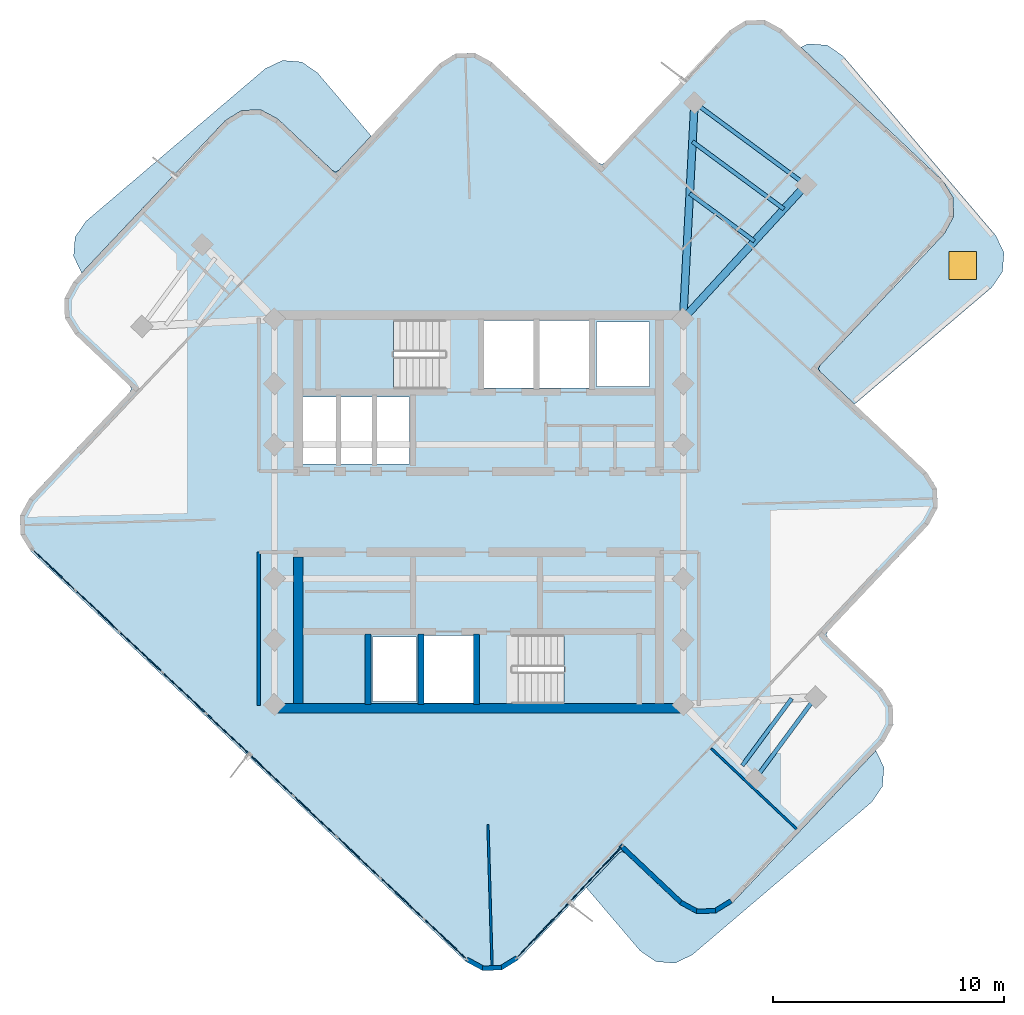
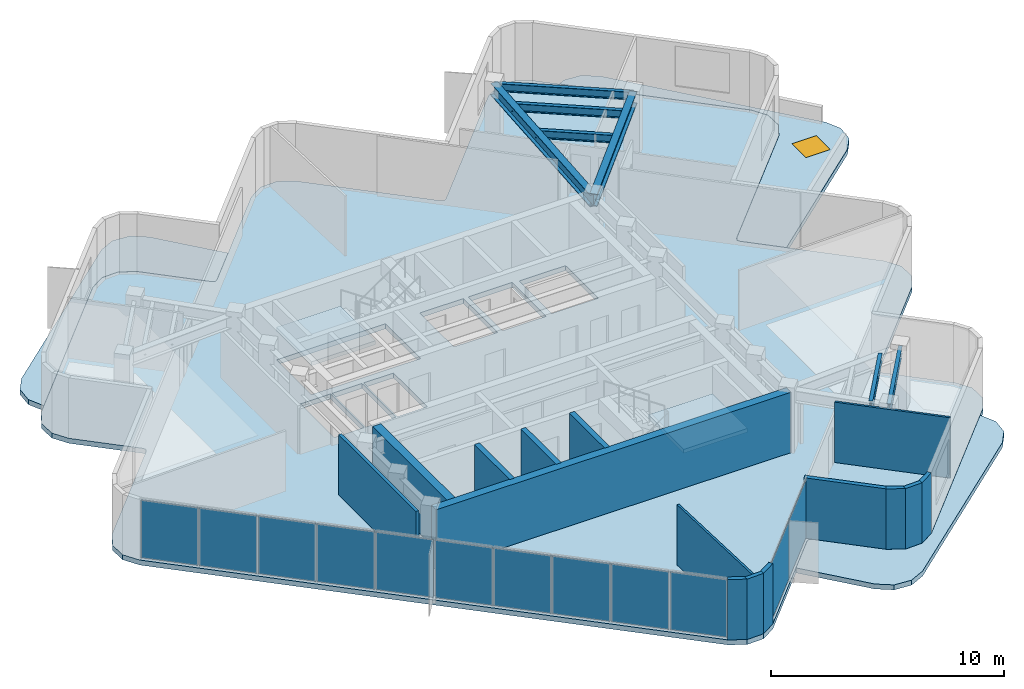
# One storey, part 5 of 10: 15 walls, 12 plates, 7 beams, 6 slabs, 1 window, 1 opening, 4 elements without a shape of their own.
"""IFC4 building model written with IfcOpenShell, lengths in metres."""

from ifc_helpers import new_model, si_unit, direction, frame, frame_2d, origin, origin_2d, place, context, subcontext, project, spatial, polyline, rectangle, i_section, outline, extrude, material, layer, layer_set, material_profile, profile_set, type_object, element, fill, aggregate, save


model = new_model("IFC4")

# Units and contexts
model_context = context("Model", 3, precision=1e-05, world=origin(), true_north=direction((0.0, 1.0)))
body_context = subcontext(model_context, "Body", "Model", "MODEL_VIEW")
ifc_project = project(units=[si_unit("LENGTHUNIT", "METRE"), si_unit("AREAUNIT", "SQUARE_METRE"), si_unit("VOLUMEUNIT", "CUBIC_METRE"), si_unit("PLANEANGLEUNIT", "RADIAN"), si_unit("MASSUNIT", "GRAM", prefix="KILO")], contexts=[model_context])

# Site, building, storey
site_placement = place(None, origin())
site = spatial("IfcSite", under=ifc_project, at=site_placement, CompositionType="ELEMENT")
building_placement = place(site_placement, origin())
building = spatial("IfcBuilding", under=site, at=building_placement, Name="Solmarez Civic Tower", CompositionType="ELEMENT")
storey_placement = place(building_placement, frame((0.0, 0.0, 244.080078125)))
storey = spatial("IfcBuildingStorey", under=building, at=storey_placement, Name="L65", CompositionType="ELEMENT", Elevation=244.080078125)

# Beams
ifc_material_1 = material(Name="Steel S355", Category="steel")
ifc_material_profile_1 = material_profile(ifc_material_1, i_section(OverallWidth=0.178955078125, OverallDepth=0.409912109375, WebThickness=0.0087890625, FlangeThickness=0.014404296875, at=origin_2d()), Name="W16X45")
ifc_profile_set_1 = profile_set([ifc_material_profile_1], Name="Steel S355")
beam_type_1 = type_object("IfcBeamType", Name="BM-JS-W16X45", PredefinedType="JOIST", material=ifc_profile_set_1)
beam_1_placement = place(storey_placement, frame((14.1689453125, 14.152099609375, 2.954833984375), z_axis=(-0.804687480311, 0.593698626434, 0.0), x_axis=(-0.593698626434, -0.804687480311, 0.0)))
element("IfcBeam", 1, at=beam_1_placement, inside=storey, type_object=beam_type_1, Name="L65 Secondary Floor Joist BM-L65-EA-T1", PredefinedType="JOIST", context=body_context, shape_type="SweptSolid", body=[
    extrude(i_section(OverallWidth=0.178955078125, OverallDepth=0.409912109375, WebThickness=0.0087890625, FlangeThickness=0.014404296875, at=origin_2d()), origin(), (0.0, 0.0, 1.0), 5.999755859375),
])
beam_2_placement = place(storey_placement, frame((11.93505859375, 11.715087890625, 2.954833984375), z_axis=(-0.8046818189, 0.593706299724, 0.0), x_axis=(-0.593706299724, -0.8046818189, 0.0)))
element("IfcBeam", 2, at=beam_2_placement, inside=storey, type_object=beam_type_1, Name="L65 Secondary Floor Joist JS-L65-EA-M11", PredefinedType="JOIST", context=body_context, shape_type="SweptSolid", body=[
    extrude(i_section(OverallWidth=0.178955078125, OverallDepth=0.409912109375, WebThickness=0.0087890625, FlangeThickness=0.014404296875, at=origin_2d()), origin(), (0.0, 0.0, 1.0), 3.479736328125),
])
beam_3_placement = place(storey_placement, frame((13.2119140625, 13.10791015625, 2.954833984375), z_axis=(-0.804762606031, 0.593596789019, 0.0), x_axis=(-0.593596789019, -0.804762606031, 0.0)))
element("IfcBeam", 3, at=beam_3_placement, inside=storey, type_object=beam_type_1, Name="L65 Secondary Floor Joist JS-L65-EA-M12", PredefinedType="JOIST", context=body_context, shape_type="SweptSolid", body=[
    extrude(i_section(OverallWidth=0.178955078125, OverallDepth=0.409912109375, WebThickness=0.0087890625, FlangeThickness=0.014404296875, at=origin_2d()), origin(), (0.0, 0.0, 1.0), 4.91943359375),
])
beam_4_placement = place(storey_placement, frame((11.970947265625, -11.56591796875, 2.954833984375), z_axis=(0.593730834471, 0.804663716219, 0.0), x_axis=(-0.804663716219, 0.593730834471, 0.0)))
element("IfcBeam", 4, at=beam_4_placement, inside=storey, type_object=beam_type_1, Name="L65 Secondary Floor Joist BM-L65-SA-T1", PredefinedType="JOIST", context=body_context, shape_type="SweptSolid", body=[
    extrude(i_section(OverallWidth=0.178955078125, OverallDepth=0.409912109375, WebThickness=0.0087890625, FlangeThickness=0.014404296875, at=origin_2d()), origin(), (0.0, 0.0, 1.0), 4.3994140625),
])
beam_5_placement = place(storey_placement, frame((11.408935546875, -10.987060546875, 2.954833984375), z_axis=(0.593734433343, 0.804661060735, 0.0), x_axis=(-0.804661060735, 0.593734433343, 0.0)))
element("IfcBeam", 5, at=beam_5_placement, inside=storey, type_object=beam_type_1, Name="L65 Secondary Floor Joist JS-L65-SA-M12", PredefinedType="JOIST", context=body_context, shape_type="SweptSolid", body=[
    extrude(i_section(OverallWidth=0.178955078125, OverallDepth=0.409912109375, WebThickness=0.0087890625, FlangeThickness=0.014404296875, at=origin_2d()), origin(), (0.0, 0.0, 1.0), 3.60791015625),
])
ifc_material_profile_2 = material_profile(ifc_material_1, i_section(OverallWidth=0.327880859375, OverallDepth=0.6220703125, WebThickness=0.015380859375, FlangeThickness=0.0244140625, at=origin_2d()), Name="W24X131")
ifc_profile_set_2 = profile_set([ifc_material_profile_2], Name="Steel S355")
beam_type_2 = type_object("IfcBeamType", Name="BM-PR-W24X131", PredefinedType="BEAM", material=ifc_profile_set_2)
beam_6_placement = place(storey_placement, frame((8.85009765625, 8.35009765625, 2.848876953125), z_axis=(0.67574850583, 0.737132251953, 0.0), x_axis=(-0.737132251953, 0.67574850583, 0.0)))
element("IfcBeam", 6, at=beam_6_placement, inside=storey, type_object=beam_type_2, Name="L65 Primary Floor Beam BM-L65-EA-R1A", PredefinedType="BEAM", context=body_context, shape_type="SweptSolid", body=[
    extrude(i_section(OverallWidth=0.327880859375, OverallDepth=0.6220703125, WebThickness=0.015380859375, FlangeThickness=0.0244140625, at=origin_2d()), origin(), (0.0, 0.0, 1.0), 7.87109375),
])
beam_7_placement = place(storey_placement, frame((8.85009765625, 8.35009765625, 2.848876953125), z_axis=(0.052359315135, 0.998628310293, 0.0), x_axis=(-0.998628310293, 0.052359315135, 0.0)))
element("IfcBeam", 7, at=beam_7_placement, inside=storey, type_object=beam_type_2, Name="L65 Primary Floor Beam BM-L65-EA-R1B", PredefinedType="BEAM", context=body_context, shape_type="SweptSolid", body=[
    extrude(i_section(OverallWidth=0.327880859375, OverallDepth=0.6220703125, WebThickness=0.015380859375, FlangeThickness=0.0244140625, at=origin_2d()), origin(), (0.0, 0.0, 1.0), 9.376953125),
])

# Curtain wall, plates
ifc_material_2 = material(Name="Bronze Anodised Aluminium EN AW-6063 T6", Category="aluminium")
ifc_layer_1 = layer(ifc_material_2, 0.1650390625)
ifc_layer_set_1 = layer_set([ifc_layer_1], Name="Bronze Anodised Aluminium EN AW-6063 T6")
curtain_wall_type = type_object("IfcCurtainWallType", Name="CW-SYS-4", PredefinedType="NOTDEFINED", material=ifc_layer_set_1)
curtain_wall_1_placement = place(storey_placement, origin())
curtain_wall_1 = element("IfcCurtainWall", 8, at=curtain_wall_1_placement, inside=storey, type_object=curtain_wall_type, Name="L65 Stick-Built Curtain Wall 1", PredefinedType="NOTDEFINED")
ifc_material_3 = material(Name="Solar Control Low-E Laminated Vision Glass", Category="glass")
ifc_layer_2 = layer(ifc_material_3, 0.0400390625)
ifc_layer_set_2 = layer_set([ifc_layer_2], Name="Solar Control Low-E Laminated Vision Glass")
plate_type = type_object("IfcPlateType", Name="CWP-GLAZ-40", PredefinedType="CURTAIN_PANEL", material=ifc_layer_set_2)
plate_1_placement = place(storey_placement, frame((5.0791015625, -15.67626953125, 0.06982421875), z_axis=(0.0, 0.0, 1.0), x_axis=(-0.686113812417, -0.727494217441, 0.0)))
plate_1 = element("IfcPlate", 9, at=plate_1_placement, type_object=plate_type, Name="CWS4 panel 1.1", PredefinedType="CURTAIN_PANEL", context=body_context, shape_type="SweptSolid", body=[
    extrude(rectangle(XDim=3.28125, YDim=0.0400390625, at=origin_2d()), origin(), (0.0, 0.0, 1.0), 3.02001953125),
])
plate_2_placement = place(storey_placement, frame((2.786865234375, -18.10693359375, 0.06982421875), z_axis=(0.0, 0.0, 1.0), x_axis=(-0.686113812417, -0.727494217441, 0.0)))
plate_2 = element("IfcPlate", 10, at=plate_2_placement, type_object=plate_type, Name="CWS4 panel 2.1", PredefinedType="CURTAIN_PANEL", context=body_context, shape_type="SweptSolid", body=[
    extrude(rectangle(XDim=3.28125, YDim=0.0400390625, at=origin_2d()), origin(), (0.0, 0.0, 1.0), 3.02001953125),
])
aggregate(curtain_wall_1, [plate_1, plate_2])

curtain_wall_2_placement = place(storey_placement, origin())
curtain_wall_2 = element("IfcCurtainWall", 11, at=curtain_wall_2_placement, inside=storey, type_object=curtain_wall_type, Name="L65 Stick-Built Curtain Wall 2", PredefinedType="NOTDEFINED")
plate_3_placement = place(storey_placement, frame((-1.43798828125, -18.50537109375, 0.06982421875), z_axis=(0.0, 0.0, 1.0), x_axis=(-0.727537141873, 0.686068296306, 0.0)))
plate_3 = element("IfcPlate", 12, at=plate_3_placement, type_object=plate_type, Name="CWS4 panel 1.1", PredefinedType="CURTAIN_PANEL", context=body_context, shape_type="SweptSolid", body=[
    extrude(rectangle(XDim=2.502197265625, YDim=0.0400390625, at=origin_2d()), origin(), (0.0, 0.0, 1.0), 3.02001953125),
])
plate_4_placement = place(storey_placement, frame((-3.31298828125, -16.7373046875, 0.06982421875), z_axis=(0.0, 0.0, 1.0), x_axis=(-0.727537141873, 0.686068296306, 0.0)))
plate_4 = element("IfcPlate", 13, at=plate_4_placement, type_object=plate_type, Name="CWS4 panel 2.1", PredefinedType="CURTAIN_PANEL", context=body_context, shape_type="SweptSolid", body=[
    extrude(rectangle(XDim=2.5322265625, YDim=0.0400390625, at=origin_2d()), origin(), (0.0, 0.0, 1.0), 3.02001953125),
])
plate_5_placement = place(storey_placement, frame((-5.198974609375, -14.958740234375, 0.06982421875), z_axis=(0.0, 0.0, 1.0), x_axis=(-0.727537141873, 0.686068296306, 0.0)))
plate_5 = element("IfcPlate", 14, at=plate_5_placement, type_object=plate_type, Name="CWS4 panel 3.1", PredefinedType="CURTAIN_PANEL", context=body_context, shape_type="SweptSolid", body=[
    extrude(rectangle(XDim=2.5322265625, YDim=0.0400390625, at=origin_2d()), origin(), (0.0, 0.0, 1.0), 3.02001953125),
])
plate_6_placement = place(storey_placement, frame((-7.0849609375, -13.18017578125, 0.06982421875), z_axis=(0.0, 0.0, 1.0), x_axis=(-0.727537141873, 0.686068296306, 0.0)))
plate_6 = element("IfcPlate", 15, at=plate_6_placement, type_object=plate_type, Name="CWS4 panel 4.1", PredefinedType="CURTAIN_PANEL", context=body_context, shape_type="SweptSolid", body=[
    extrude(rectangle(XDim=2.5322265625, YDim=0.0400390625, at=origin_2d()), origin(), (0.0, 0.0, 1.0), 3.02001953125),
])
plate_7_placement = place(storey_placement, frame((-8.970947265625, -11.40185546875, 0.06982421875), z_axis=(0.0, 0.0, 1.0), x_axis=(-0.727537141873, 0.686068296306, 0.0)))
plate_7 = element("IfcPlate", 16, at=plate_7_placement, type_object=plate_type, Name="CWS4 panel 5.1", PredefinedType="CURTAIN_PANEL", context=body_context, shape_type="SweptSolid", body=[
    extrude(rectangle(XDim=2.5322265625, YDim=0.0400390625, at=origin_2d()), origin(), (0.0, 0.0, 1.0), 3.02001953125),
])
plate_8_placement = place(storey_placement, frame((-10.85693359375, -9.623291015625, 0.06982421875), z_axis=(0.0, 0.0, 1.0), x_axis=(-0.727537141873, 0.686068296306, 0.0)))
plate_8 = element("IfcPlate", 17, at=plate_8_placement, type_object=plate_type, Name="CWS4 panel 6.1", PredefinedType="CURTAIN_PANEL", context=body_context, shape_type="SweptSolid", body=[
    extrude(rectangle(XDim=2.5322265625, YDim=0.0400390625, at=origin_2d()), origin(), (0.0, 0.0, 1.0), 3.02001953125),
])
plate_9_placement = place(storey_placement, frame((-12.742919921875, -7.8447265625, 0.06982421875), z_axis=(0.0, 0.0, 1.0), x_axis=(-0.727537141873, 0.686068296306, 0.0)))
plate_9 = element("IfcPlate", 18, at=plate_9_placement, type_object=plate_type, Name="CWS4 panel 7.1", PredefinedType="CURTAIN_PANEL", context=body_context, shape_type="SweptSolid", body=[
    extrude(rectangle(XDim=2.5322265625, YDim=0.0400390625, at=origin_2d()), origin(), (0.0, 0.0, 1.0), 3.02001953125),
])
plate_10_placement = place(storey_placement, frame((-14.62890625, -6.066162109375, 0.06982421875), z_axis=(0.0, 0.0, 1.0), x_axis=(-0.727537141873, 0.686068296306, 0.0)))
plate_10 = element("IfcPlate", 19, at=plate_10_placement, type_object=plate_type, Name="CWS4 panel 8.1", PredefinedType="CURTAIN_PANEL", context=body_context, shape_type="SweptSolid", body=[
    extrude(rectangle(XDim=2.5322265625, YDim=0.0400390625, at=origin_2d()), origin(), (0.0, 0.0, 1.0), 3.02001953125),
])
plate_11_placement = place(storey_placement, frame((-16.514892578125, -4.287841796875, 0.06982421875), z_axis=(0.0, 0.0, 1.0), x_axis=(-0.727537141873, 0.686068296306, 0.0)))
plate_11 = element("IfcPlate", 20, at=plate_11_placement, type_object=plate_type, Name="CWS4 panel 9.1", PredefinedType="CURTAIN_PANEL", context=body_context, shape_type="SweptSolid", body=[
    extrude(rectangle(XDim=2.5322265625, YDim=0.0400390625, at=origin_2d()), origin(), (0.0, 0.0, 1.0), 3.02001953125),
])
plate_12_placement = place(storey_placement, frame((-18.39013671875, -2.51953125, 0.06982421875), z_axis=(0.0, 0.0, 1.0), x_axis=(-0.727537141873, 0.686068296306, 0.0)))
plate_12 = element("IfcPlate", 21, at=plate_12_placement, type_object=plate_type, Name="CWS4 panel 10.1", PredefinedType="CURTAIN_PANEL", context=body_context, shape_type="SweptSolid", body=[
    extrude(rectangle(XDim=2.502197265625, YDim=0.0400390625, at=origin_2d()), origin(), (0.0, 0.0, 1.0), 3.02001953125),
])
aggregate(curtain_wall_2, [plate_3, plate_4, plate_5, plate_6, plate_7, plate_8, plate_9, plate_10, plate_11, plate_12])

# Stair, slab
ifc_material_4 = material(Name="Concrete C50/60", Category="concrete")
stair_type = type_object("IfcStairType", Name="STAIR-DOGLEG-140W-18R-1900", PredefinedType="HALF_TURN_STAIR", material=ifc_material_4)
stair_1_placement = place(storey_placement, origin())
stair_1 = element("IfcStair", 22, at=stair_1_placement, inside=storey, type_object=stair_type, Name="L65 North Core Protected Exit Stair ST-1", PredefinedType="HALF_TURN_STAIR")
ifc_layer_3 = layer(ifc_material_4, 0.199951171875)
ifc_layer_set_3 = layer_set([ifc_layer_3], Name="Concrete C50/60")
slab_type_1 = type_object("IfcSlabType", Name="SLAB-LANDING-200", PredefinedType="LANDING", material=ifc_layer_set_3)
slab_1_placement = place(storey_placement, frame((0.0, 0.0, 1.510009765625)))
slab_1 = element("IfcSlab", 23, at=slab_1_placement, type_object=slab_type_1, Name="ST-1 landing 1", PredefinedType="LANDING", context=body_context, shape_type="SweptSolid", body=[
    extrude(outline(polyline([(-3.68994140625, 8.320068359375), (-6.85009765625, 8.320068359375), (-6.85009765625, 5.320068359375), (-3.68994140625, 5.320068359375), (-3.68994140625, 8.320068359375)])), origin(), (0.0, 0.0, 1.0), 0.199951171875),
])
aggregate(stair_1, [slab_1])

stair_2_placement = place(storey_placement, origin())
stair_2 = element("IfcStair", 24, at=stair_2_placement, inside=storey, type_object=stair_type, Name="L65 South Core Protected Exit Stair ST-2", PredefinedType="HALF_TURN_STAIR")
slab_2_placement = place(storey_placement, frame((0.0, 0.0, 1.510009765625)))
slab_2 = element("IfcSlab", 25, at=slab_2_placement, type_object=slab_type_1, Name="ST-2 landing 1", PredefinedType="LANDING", context=body_context, shape_type="SweptSolid", body=[
    extrude(outline(polyline([(3.68994140625, -8.320068359375), (6.85009765625, -8.320068359375), (6.85009765625, -5.320068359375), (3.68994140625, -5.320068359375), (3.68994140625, -8.320068359375)])), origin(), (0.0, 0.0, 1.0), 0.199951171875),
])
aggregate(stair_2, [slab_2])

# Slab, opening, window
ifc_layer_4 = layer(ifc_material_4, 0.25)
ifc_layer_set_4 = layer_set([ifc_layer_4], Name="Concrete C50/60")
slab_type_2 = type_object("IfcSlabType", Name="SLAB-ROOF-250", PredefinedType="ROOF", material=ifc_layer_set_4)
slab_3_placement = place(storey_placement, frame((0.0, 0.0, -0.260009765625)))
slab_3 = element("IfcSlab", 26, at=slab_3_placement, inside=storey, type_object=slab_type_2, Name="L65 Setback Roof Slab 1", PredefinedType="ROOF", context=body_context, shape_type="SweptSolid", body=[
    extrude(outline(polyline([(13.947021484375, 20.113037109375), (20.096923828125, 14.31396484375), (20.531982421875, 13.60791015625), (20.555908203125, 12.780029296875), (20.1630859375, 12.050048828125), (14.784912109375, 6.346923828125), (14.7041015625, 6.197021484375), (14.79296875, 6.052001953125), (16.27197265625, 4.656982421875), (22.205078125, 9.7060546875), (22.675048828125, 10.386962890625), (22.740966796875, 11.212890625), (22.385986328125, 11.9609375), (15.77490234375, 19.72900390625), (15.093017578125, 20.198974609375), (14.26806640625, 20.264892578125), (13.947021484375, 20.113037109375)])), origin(), (0.0, 0.0, 1.0), 0.260009765625),
])
opening_placement = place(slab_3_placement, frame((20.9541015625, 10.660888671875, 0.0)))
opening = element("IfcOpeningElement", 27, at=opening_placement, cuts=slab_3, Name="Opening SK-01", PredefinedType="OPENING", context=body_context, shape_type="SweptSolid", body=[
    extrude(rectangle(XDim=1.199951171875, YDim=1.199951171875, at=origin_2d()), frame((0.0, 0.0, -0.010009765625)), (0.0, 0.0, 1.0), 0.280029296875),
])
ifc_material_5 = material(Name="Solar Control Bronze-Tinted Insulating Glass", Category="glass")
window_type = type_object("IfcWindowType", Name="SKY-1200X1200", PartitioningType="SINGLE_PANEL", PredefinedType="SKYLIGHT", material=ifc_material_5)
window_placement = place(opening_placement, frame((0.0, 0.0, 0.2099609375)))
window = element("IfcWindow", 28, at=window_placement, inside=storey, type_object=window_type, Name="L65 Roof Maintenance Skylight Hatch", OverallHeight=1.199951171875, OverallWidth=1.199951171875, PartitioningType="SINGLE_PANEL", PredefinedType="SKYLIGHT", context=body_context, shape_type="SweptSolid", body=[
    extrude(rectangle(XDim=1.199951171875, YDim=1.199951171875, at=origin_2d()), origin(), (0.0, 0.0, 1.0), 0.050048828125),
])
fill(opening, window)

# Slabs
slab_4_placement = place(storey_placement, frame((0.0, 0.0, -0.260009765625)))
element("IfcSlab", 29, at=slab_4_placement, inside=storey, type_object=slab_type_2, Name="L65 Setback Roof Slab 2", PredefinedType="ROOF", context=body_context, shape_type="SweptSolid", body=[
    extrude(outline(polyline([(-17.195068359375, 10.3369140625), (-10.968017578125, 16.94091796875), (-10.261962890625, 17.3759765625), (-9.43310546875, 17.39990234375), (-8.702880859375, 17.007080078125), (-6.346923828125, 14.784912109375), (-6.197021484375, 14.7041015625), (-6.052001953125, 14.79296875), (-4.656982421875, 16.27197265625), (-6.98388671875, 19.006103515625), (-7.6650390625, 19.47607421875), (-8.490966796875, 19.54296875), (-9.239013671875, 19.18798828125), (-17.007080078125, 12.576904296875), (-17.47705078125, 11.89501953125), (-17.54296875, 11.069091796875), (-17.195068359375, 10.3369140625)])), origin(), (0.0, 0.0, 1.0), 0.260009765625),
])
slab_5_placement = place(storey_placement, frame((0.0, 0.0, -0.260009765625)))
element("IfcSlab", 30, at=slab_5_placement, inside=storey, type_object=slab_type_2, Name="L65 Setback Roof Slab 3", PredefinedType="ROOF", context=body_context, shape_type="SweptSolid", body=[
    extrude(outline(polyline([(17.195068359375, -10.3369140625), (10.968017578125, -16.94091796875), (10.261962890625, -17.3759765625), (9.43310546875, -17.39990234375), (8.702880859375, -17.007080078125), (6.346923828125, -14.784912109375), (6.197021484375, -14.7041015625), (6.052001953125, -14.79296875), (4.656982421875, -16.27197265625), (6.98388671875, -19.006103515625), (7.6650390625, -19.47607421875), (8.490966796875, -19.54296875), (9.239013671875, -19.18798828125), (17.007080078125, -12.576904296875), (17.47705078125, -11.89501953125), (17.54296875, -11.069091796875), (17.195068359375, -10.3369140625)])), origin(), (0.0, 0.0, 1.0), 0.260009765625),
])
ifc_layer_5 = layer(ifc_material_4, 0.260009765625)
ifc_layer_set_5 = layer_set([ifc_layer_5], Name="Concrete C50/60")
slab_type_3 = type_object("IfcSlabType", Name="SLAB-TOWER-260", PredefinedType="FLOOR", material=ifc_layer_set_5)
slab_6_placement = place(storey_placement, frame((0.0, 0.0, -0.260009765625)))
element("IfcSlab", 31, at=slab_6_placement, inside=storey, type_object=slab_type_3, Name="L65 Structural Slab", PredefinedType="FLOOR", context=body_context, shape_type="SweptSolid", body=[
    extrude(outline(polyline([(6.347900390625, -14.782958984375), (8.705078125, -17.006103515625), (9.43408203125, -17.39794921875), (10.261962890625, -17.3740234375), (10.967041015625, -16.93896484375), (17.552978515625, -9.955078125), (17.946044921875, -9.22607421875), (17.9208984375, -8.39794921875), (17.486083984375, -7.693115234375), (15.1298828125, -5.470947265625), (15.0390625, -5.323974609375), (15.12109375, -5.173095703125), (19.469970703125, -0.56103515625), (19.863037109375, 0.16796875), (19.839111328125, 0.99609375), (19.404052734375, 1.700927734375), (14.7919921875, 6.050048828125), (14.700927734375, 6.197021484375), (14.782958984375, 6.347900390625), (20.160888671875, 12.051025390625), (20.553955078125, 12.780029296875), (20.530029296875, 13.60791015625), (20.094970703125, 14.31298828125), (13.111083984375, 20.89892578125), (12.382080078125, 21.2919921875), (11.553955078125, 21.26806640625), (10.84912109375, 20.8330078125), (5.470947265625, 15.1298828125), (5.323974609375, 15.0390625), (5.173095703125, 15.12109375), (0.56103515625, 19.469970703125), (-0.16796875, 19.863037109375), (-0.99609375, 19.839111328125), (-1.700927734375, 19.404052734375), (-6.050048828125, 14.7919921875), (-6.197021484375, 14.700927734375), (-6.347900390625, 14.782958984375), (-8.705078125, 17.006103515625), (-9.43408203125, 17.39794921875), (-10.261962890625, 17.3740234375), (-10.967041015625, 16.93896484375), (-17.552978515625, 9.955078125), (-17.946044921875, 9.22607421875), (-17.9208984375, 8.39794921875), (-17.486083984375, 7.693115234375), (-15.1298828125, 5.470947265625), (-15.0390625, 5.323974609375), (-15.12109375, 5.173095703125), (-19.469970703125, 0.56103515625), (-19.863037109375, -0.16796875), (-19.839111328125, -0.99609375), (-19.404052734375, -1.700927734375), (-0.56103515625, -19.469970703125), (0.16796875, -19.863037109375), (0.99609375, -19.839111328125), (1.700927734375, -19.404052734375), (6.050048828125, -14.7919921875), (6.197021484375, -14.700927734375), (6.347900390625, -14.782958984375)]), holes=[polyline([(-1.449951171875, 8.320068359375), (-6.85009765625, 8.320068359375), (-6.85009765625, 5.320068359375), (-1.449951171875, 5.320068359375), (-1.449951171875, 8.320068359375)]), polyline([(1.449951171875, -8.320068359375), (6.85009765625, -8.320068359375), (6.85009765625, -5.320068359375), (1.449951171875, -5.320068359375), (1.449951171875, -8.320068359375)]), polyline([(0.219970703125, 5.360107421875), (2.3798828125, 5.360107421875), (2.3798828125, 8.280029296875), (0.219970703125, 8.280029296875), (0.219970703125, 5.360107421875)]), polyline([(2.6201171875, 5.360107421875), (4.780029296875, 5.360107421875), (4.780029296875, 8.280029296875), (2.6201171875, 8.280029296875), (2.6201171875, 5.360107421875)]), polyline([(-2.3798828125, -8.280029296875), (-0.219970703125, -8.280029296875), (-0.219970703125, -5.360107421875), (-2.3798828125, -5.360107421875), (-2.3798828125, -8.280029296875)]), polyline([(-7.60009765625, 2.06005859375), (-6.1201171875, 2.06005859375), (-6.1201171875, 4.9599609375), (-7.60009765625, 4.9599609375), (-7.60009765625, 2.06005859375)]), polyline([(-6.0400390625, 2.06005859375), (-4.56005859375, 2.06005859375), (-4.56005859375, 4.9599609375), (-6.0400390625, 4.9599609375), (-6.0400390625, 2.06005859375)]), polyline([(-4.47998046875, 2.06005859375), (-3.0, 2.06005859375), (-3.0, 4.9599609375), (-4.47998046875, 4.9599609375), (-4.47998046875, 2.06005859375)]), polyline([(5.10009765625, 5.419921875), (7.39990234375, 5.419921875), (7.39990234375, 8.219970703125), (5.10009765625, 8.219970703125), (5.10009765625, 5.419921875)]), polyline([(-4.60009765625, -8.219970703125), (-2.699951171875, -8.219970703125), (-2.699951171875, -5.419921875), (-4.60009765625, -5.419921875), (-4.60009765625, -8.219970703125)])]), origin(), (0.0, 0.0, 1.0), 0.260009765625),
])

# Walls
ifc_layer_6 = layer(ifc_material_4, 0.39990234375)
ifc_layer_set_6 = layer_set([ifc_layer_6], Name="Concrete C50/60")
wall_type_1 = type_object("IfcWallType", Name="WALL-CORE-400", PredefinedType="SHEAR", material=ifc_layer_set_6)
wall_1_placement = place(storey_placement, frame((8.780029296875, -8.510009765625, 0.0), z_axis=(0.0, 0.0, 1.0), x_axis=(-1.0, 0.0, 0.0)))
element("IfcWall", 32, at=wall_1_placement, inside=storey, type_object=wall_type_1, Name="L65 Split-Core Structural Wall SCW-S-L65", PredefinedType="SHEAR", context=body_context, shape_type="SweptSolid", body=[
    extrude(rectangle(XDim=17.56005859375, YDim=0.39990234375, at=frame_2d((8.780029296875, 0.0))), origin(), (0.0, 0.0, 1.0), 3.159912109375),
])
wall_2_placement = place(storey_placement, frame((-7.820068359375, -8.31005859375, 0.0), z_axis=(0.0, 0.0, 1.0), x_axis=(0.0, 1.0, 0.0)))
element("IfcWall", 33, at=wall_2_placement, inside=storey, type_object=wall_type_1, Name="L65 Split-Core Structural Wall SCW-W-L65", PredefinedType="SHEAR", context=body_context, shape_type="SweptSolid", body=[
    extrude(rectangle(XDim=6.360107421875, YDim=0.39990234375, at=frame_2d((3.18017578125, 0.0))), origin(), (0.0, 0.0, 1.0), 3.159912109375),
])
ifc_material_6 = material(Name="Precast concrete C40/50", Category="concrete")
ifc_layer_7 = layer(ifc_material_6, 0.199951171875)
ifc_layer_set_7 = layer_set([ifc_layer_7], Name="Precast concrete C40/50")
wall_type_2 = type_object("IfcWallType", Name="WALL-EXT-200", PredefinedType="SOLIDWALL", material=ifc_layer_set_7)
wall_3_placement = place(storey_placement, frame((1.657958984375, -19.31298828125, 0.0), z_axis=(0.0, 0.0, 1.0), x_axis=(-0.850997215859, -0.52517019965, 0.0)))
element("IfcWall", 34, at=wall_3_placement, inside=storey, type_object=wall_type_2, Name="L65 Exterior Precast Wall 3", PredefinedType="SOLIDWALL", context=body_context, shape_type="SweptSolid", body=[
    extrude(rectangle(XDim=0.837646484375, YDim=0.199951171875, at=frame_2d((0.4189453125, 0.0))), origin(), (0.0, 0.0, 1.0), 3.159912109375),
])
wall_4_placement = place(storey_placement, frame((0.990966796875, -19.739013671875, 0.0), z_axis=(0.0, 0.0, 1.0), x_axis=(-0.999578691641, -0.029024803491, 0.0)))
element("IfcWall", 35, at=wall_4_placement, inside=storey, type_object=wall_type_2, Name="L65 Exterior Precast Wall 4", PredefinedType="SOLIDWALL", context=body_context, shape_type="SweptSolid", body=[
    extrude(rectangle(XDim=0.82421875, YDim=0.199951171875, at=frame_2d((0.412109375, 0.0))), origin(), (0.0, 0.0, 1.0), 3.159912109375),
])
wall_5_placement = place(storey_placement, frame((0.214111328125, -19.77392578125, 0.0), z_axis=(0.0, 0.0, 1.0), x_axis=(-0.880199822755, 0.474603278561, 0.0)))
element("IfcWall", 36, at=wall_5_placement, inside=storey, type_object=wall_type_2, Name="L65 Exterior Precast Wall 5", PredefinedType="SOLIDWALL", context=body_context, shape_type="SweptSolid", body=[
    extrude(rectangle(XDim=0.83837890625, YDim=0.199951171875, at=frame_2d((0.419189453125, 0.0))), origin(), (0.0, 0.0, 1.0), 3.159912109375),
])
wall_6_placement = place(storey_placement, frame((10.924072265625, -16.847900390625, 0.0), z_axis=(0.0, 0.0, 1.0), x_axis=(-0.850947362812, -0.525250974033, 0.0)))
element("IfcWall", 37, at=wall_6_placement, inside=storey, type_object=wall_type_2, Name="L65 Exterior Precast Wall 54", PredefinedType="SOLIDWALL", context=body_context, shape_type="SweptSolid", body=[
    extrude(rectangle(XDim=0.838134765625, YDim=0.199951171875, at=frame_2d((0.4189453125, 0.0))), origin(), (0.0, 0.0, 1.0), 3.159912109375),
])
wall_7_placement = place(storey_placement, frame((10.257080078125, -17.27392578125, 0.0), z_axis=(0.0, 0.0, 1.0), x_axis=(-0.999534635062, -0.03050431627, 0.0)))
element("IfcWall", 38, at=wall_7_placement, inside=storey, type_object=wall_type_2, Name="L65 Exterior Precast Wall 55", PredefinedType="SOLIDWALL", context=body_context, shape_type="SweptSolid", body=[
    extrude(rectangle(XDim=0.824462890625, YDim=0.199951171875, at=frame_2d((0.412109375, 0.0))), origin(), (0.0, 0.0, 1.0), 3.159912109375),
])
wall_8_placement = place(storey_placement, frame((9.47998046875, -17.31005859375, 0.0), z_axis=(0.0, 0.0, 1.0), x_axis=(-0.880199822755, 0.474603278561, 0.0)))
element("IfcWall", 39, at=wall_8_placement, inside=storey, type_object=wall_type_2, Name="L65 Exterior Precast Wall 56", PredefinedType="SOLIDWALL", context=body_context, shape_type="SweptSolid", body=[
    extrude(rectangle(XDim=0.83837890625, YDim=0.199951171875, at=frame_2d((0.419189453125, 0.0))), origin(), (0.0, 0.0, 1.0), 3.159912109375),
])
wall_9_placement = place(storey_placement, frame((8.781982421875, -16.94091796875, 0.0), z_axis=(0.0, 0.0, 1.0), x_axis=(-0.727388601412, 0.686225781019, 0.0)))
element("IfcWall", 40, at=wall_9_placement, inside=storey, type_object=wall_type_2, Name="L65 Exterior Precast Wall 57", PredefinedType="SOLIDWALL", context=body_context, shape_type="SweptSolid", body=[
    extrude(rectangle(XDim=3.6416015625, YDim=0.199951171875, at=frame_2d((1.82080078125, 0.0))), origin(), (0.0, 0.0, 1.0), 3.159912109375),
])
ifc_material_7 = material(Name="Gypsum Board Acoustic Steel-Stud Partition", Category="steel")
ifc_layer_8 = layer(ifc_material_7, 0.14990234375)
ifc_layer_set_8 = layer_set([ifc_layer_8], Name="Gypsum Board Acoustic Steel-Stud Partition")
wall_type_3 = type_object("IfcWallType", Name="WALL-INT-FIRE-150", PredefinedType="PARTITIONING", material=ifc_layer_set_8)
wall_10_placement = place(storey_placement, frame((-9.52001953125, -8.3798828125, 0.0), z_axis=(0.0, 0.0, 1.0), x_axis=(0.0, 1.0, 0.0)))
element("IfcWall", 41, at=wall_10_placement, inside=storey, type_object=wall_type_3, Name="L65 Interior Partition CHW-L65-WS1", PredefinedType="PARTITIONING", context=body_context, shape_type="SweptSolid", body=[
    extrude(rectangle(XDim=6.6298828125, YDim=0.14990234375, at=frame_2d((3.31494140625, 0.0))), origin(), (0.0, 0.0, 1.0), 3.159912109375),
])
ifc_layer_9 = layer(ifc_material_7, 0.10009765625)
ifc_layer_set_9 = layer_set([ifc_layer_9], Name="Gypsum Board Acoustic Steel-Stud Partition")
wall_type_4 = type_object("IfcWallType", Name="WALL-INT-PART-100", PredefinedType="PARTITIONING", material=ifc_layer_set_9)
wall_11_placement = place(storey_placement, frame((0.39697265625, -13.5400390625, 0.0), z_axis=(0.0, 0.0, 1.0), x_axis=(0.029263699144, -0.999571726247, 0.0)))
element("IfcWall", 42, at=wall_11_placement, inside=storey, type_object=wall_type_4, Name="L65 Interior Partition PT-L65-QDIV-3", PredefinedType="PARTITIONING", context=body_context, shape_type="SweptSolid", body=[
    extrude(rectangle(XDim=6.148681640625, YDim=0.10009765625, at=frame_2d((3.07421875, 0.0))), origin(), (0.0, 0.0, 1.0), 3.159912109375),
])
wall_12_placement = place(storey_placement, frame((10.06298828125, -10.2451171875, 0.0), z_axis=(0.0, 0.0, 1.0), x_axis=(0.727475044052, -0.686134141608, 0.0)))
element("IfcWall", 43, at=wall_12_placement, inside=storey, type_object=wall_type_4, Name="L65 Interior Partition PT-L65-S-ALM", PredefinedType="PARTITIONING", context=body_context, shape_type="SweptSolid", body=[
    extrude(rectangle(XDim=5.084716796875, YDim=0.10009765625, at=frame_2d((2.54248046875, 0.0))), origin(), (0.0, 0.0, 1.0), 3.159912109375),
])
ifc_layer_10 = layer(ifc_material_4, 0.300048828125)
ifc_layer_set_10 = layer_set([ifc_layer_10], Name="Concrete C50/60")
wall_type_5 = type_object("IfcWallType", Name="WALL-STR-300", PredefinedType="SOLIDWALL", material=ifc_layer_set_10)
for number, where, z_axis, x_axis, name in (
    (44, (-0.10009765625, -8.340087890625, 0.0), (0.0, 0.0, 1.0), (0.0, 1.0, 0.0), "L65 Split-Core Structural Wall SHW-S1-L65"),
    (45, (-2.5, -8.340087890625, 0.0), (0.0, 0.0, 1.0), (0.0, 1.0, 0.0), "L65 Split-Core Structural Wall SHW-S2-L65"),
    (46, (-4.800048828125, -8.340087890625, 0.0), (0.0, 0.0, 1.0), (0.0, 1.0, 0.0), "L65 Split-Core Structural Wall SHW-S3-L65"),
):
    element("IfcWall", number, at=place(storey_placement, frame(where, z_axis=z_axis, x_axis=x_axis)), inside=storey, type_object=wall_type_5, Name=name, PredefinedType="SOLIDWALL", context=body_context, shape_type="SweptSolid", body=[
        extrude(rectangle(XDim=3.0400390625, YDim=0.25, at=frame_2d((1.52001953125, 0.0))), origin(), (0.0, 0.0, 1.0), 3.159912109375),
    ])

save(model, "model.ifc")
